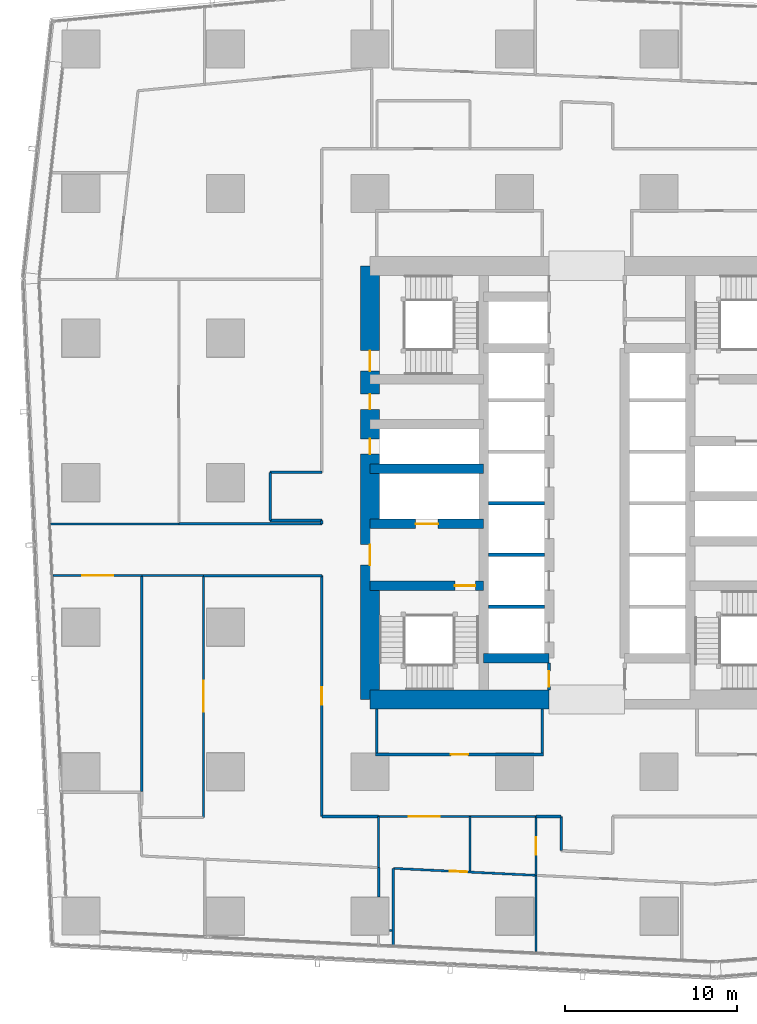
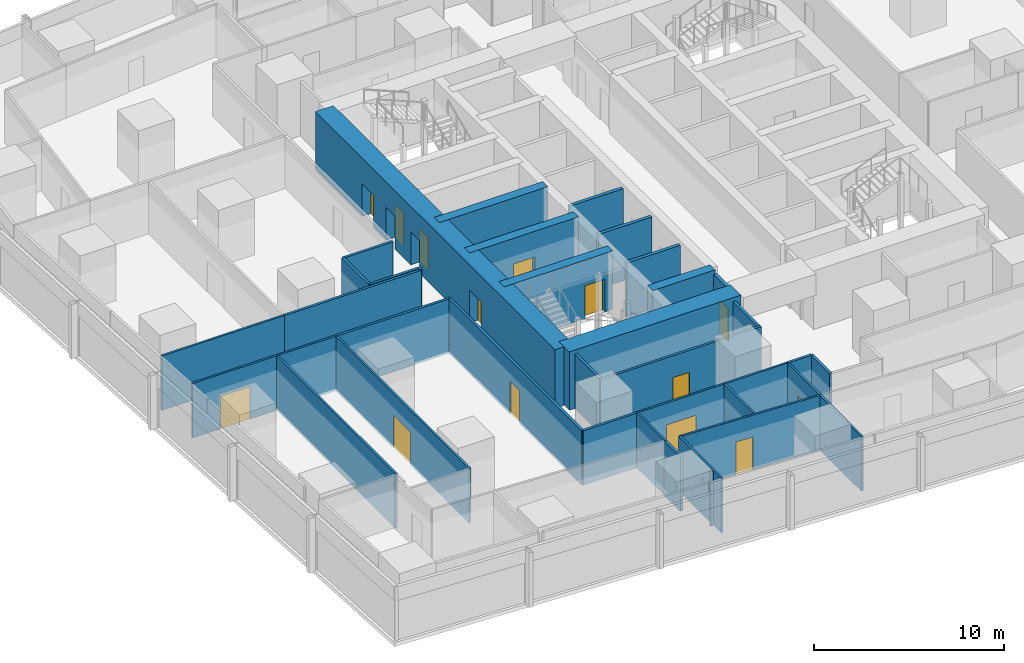
# One storey, part 32 of 45: 38 walls, 14 doors, 14 openings.
"""IFC4 building model written with IfcOpenShell, lengths in metres."""

from ifc_helpers import new_model, si_unit, direction, frame, frame_2d, origin, place, context, subcontext, project, spatial, rectangle, extrude, material, layer, layer_set, type_object, element, fill, save


model = new_model("IFC4")

# Units and contexts
model_context = context("Model", 3, precision=1e-05, world=origin(), true_north=direction((0.0, 1.0)))
body_context = subcontext(model_context, "Body", "Model", "MODEL_VIEW")
ifc_project = project(units=[si_unit("LENGTHUNIT", "METRE"), si_unit("AREAUNIT", "SQUARE_METRE"), si_unit("VOLUMEUNIT", "CUBIC_METRE"), si_unit("PLANEANGLEUNIT", "RADIAN"), si_unit("MASSUNIT", "GRAM", prefix="KILO")], contexts=[model_context])

# Site, building, storey
site_placement = place(None, origin())
site = spatial("IfcSite", under=ifc_project, at=site_placement, CompositionType="ELEMENT")
building_placement = place(site_placement, origin())
building = spatial("IfcBuilding", under=site, at=building_placement, Name="Rekha Terrace Tower", CompositionType="ELEMENT")
storey_placement = place(building_placement, frame((0.0, 0.0, 36.64990234375)))
storey = spatial("IfcBuildingStorey", under=building, at=storey_placement, Name="L08", CompositionType="ELEMENT", Elevation=36.64990234375)

# Wall
ifc_material_1 = material(Name="Concrete M70", Category="concrete")
ifc_layer_1 = layer(ifc_material_1, 0.550048828125)
ifc_layer_set_1 = layer_set([ifc_layer_1], Name="Concrete M70")
wall_type_1 = type_object("IfcWallType", Name="CI1 550 core internal shear wall", PredefinedType="SHEAR", material=ifc_layer_set_1)
wall_1_placement = place(storey_placement, frame((31.800048828125, 23.39990234375, 0.0), z_axis=(0.0, 0.0, 1.0), x_axis=(1.0, 0.0, 0.0)))
element("IfcWall", 1, at=wall_1_placement, inside=storey, type_object=wall_type_1, Name="Core wall Y234W L08", PredefinedType="SHEAR", context=body_context, shape_type="SweptSolid", body=[
    extrude(rectangle(XDim=3.800048828125, YDim=0.550048828125, at=frame_2d((1.89990234375, 0.0))), origin(), (0.0, 0.0, 1.0), 3.75),
])

# Wall, opening, door
wall_2_placement = place(storey_placement, frame((25.199951171875, 27.60009765625, 0.0), z_axis=(0.0, 0.0, 1.0), x_axis=(1.0, 0.0, 0.0)))
wall_2 = element("IfcWall", 2, at=wall_2_placement, inside=storey, type_object=wall_type_1, Name="Core wall Y276W L08", PredefinedType="SHEAR", context=body_context, shape_type="SweptSolid", body=[
    extrude(rectangle(XDim=6.60009765625, YDim=0.550048828125, at=frame_2d((3.300048828125, 0.0))), origin(), (0.0, 0.0, 1.0), 3.75),
])
opening_1_placement = place(wall_2_placement, frame((4.925048828125, 0.0, 0.0)))
opening_1 = element("IfcOpeningElement", 3, at=opening_1_placement, cuts=wall_2, Name="Opening D1", PredefinedType="OPENING", context=body_context, shape_type="SweptSolid", body=[
    extrude(rectangle(XDim=1.199951171875, YDim=2.10009765625, at=frame_2d((0.60009765625, 1.050048828125))), frame((0.0, 0.284912109375, 0.0), z_axis=(0.0, -1.0, 0.0), x_axis=(1.0, 0.0, 0.0)), (0.0, 0.0, 1.0), 0.570068359375),
])
ifc_material_2 = material(Name="Steel fire door", Category="steel")
door_type_1 = type_object("IfcDoorType", Name="D1 1200x2100 stair fire door", OperationType="SINGLE_SWING_RIGHT", PredefinedType="DOOR", material=ifc_material_2)
door_1_placement = place(opening_1_placement, origin())
door_1 = element("IfcDoor", 4, at=door_1_placement, inside=storey, type_object=door_type_1, Name="Stair ST1 door L08", OperationType="SINGLE_SWING_RIGHT", OverallHeight=2.10009765625, OverallWidth=1.199951171875, PredefinedType="DOOR", context=body_context, shape_type="SweptSolid", body=[
    extrude(rectangle(XDim=1.199951171875, YDim=2.10009765625, at=frame_2d((0.60009765625, 1.050048828125))), frame((0.0, 0.02490234375, 0.0), z_axis=(0.0, -1.0, 0.0), x_axis=(1.0, 0.0, 0.0)), (0.0, 0.0, 1.0), 0.050048828125),
])
fill(opening_1, door_1)

wall_3_placement = place(storey_placement, frame((25.199951171875, 31.199951171875, 0.0), z_axis=(0.0, 0.0, 1.0), x_axis=(1.0, 0.0, 0.0)))
wall_3 = element("IfcWall", 5, at=wall_3_placement, inside=storey, type_object=wall_type_1, Name="Core wall Y312W L08", PredefinedType="SHEAR", context=body_context, shape_type="SweptSolid", body=[
    extrude(rectangle(XDim=6.60009765625, YDim=0.550048828125, at=frame_2d((3.300048828125, 0.0))), origin(), (0.0, 0.0, 1.0), 3.75),
])
opening_2_placement = place(wall_3_placement, frame((2.64990234375, 0.0, 0.0)))
opening_2 = element("IfcOpeningElement", 6, at=opening_2_placement, cuts=wall_3, Name="Opening LD2", PredefinedType="OPENING", context=body_context, shape_type="SweptSolid", body=[
    extrude(rectangle(XDim=1.300048828125, YDim=2.10009765625, at=frame_2d((0.64990234375, 1.050048828125))), frame((0.0, 0.284912109375, 0.0), z_axis=(0.0, -1.0, 0.0), x_axis=(1.0, 0.0, 0.0)), (0.0, 0.0, 1.0), 0.570068359375),
])
ifc_material_3 = material(Name="Stainless steel sliding landing door", Category="steel")
door_type_2 = type_object("IfcDoorType", Name="LD2 1300x2100 fire lift landing door", OperationType="SLIDING_TO_LEFT", PredefinedType="USERDEFINED", material=ifc_material_3)
door_2_placement = place(opening_2_placement, origin())
door_2 = element("IfcDoor", 7, at=door_2_placement, inside=storey, type_object=door_type_2, Name="Lift FL1 landing door L08", ObjectType="LIFT LANDING DOOR", OperationType="SLIDING_TO_LEFT", OverallHeight=2.10009765625, OverallWidth=1.300048828125, PredefinedType="USERDEFINED", context=body_context, shape_type="SweptSolid", body=[
    extrude(rectangle(XDim=1.300048828125, YDim=2.10009765625, at=frame_2d((0.64990234375, 1.050048828125))), frame((0.0, 0.02490234375, 0.0), z_axis=(0.0, -1.0, 0.0), x_axis=(1.0, 0.0, 0.0)), (0.0, 0.0, 1.0), 0.050048828125),
])
fill(opening_2, door_2)

# Walls
wall_4_placement = place(storey_placement, frame((25.199951171875, 34.39990234375, 0.0), z_axis=(0.0, 0.0, 1.0), x_axis=(1.0, 0.0, 0.0)))
element("IfcWall", 8, at=wall_4_placement, inside=storey, type_object=wall_type_1, Name="Core wall Y344W L08", PredefinedType="SHEAR", context=body_context, shape_type="SweptSolid", body=[
    extrude(rectangle(XDim=6.60009765625, YDim=0.550048828125, at=frame_2d((3.300048828125, 0.0))), origin(), (0.0, 0.0, 1.0), 3.75),
])
ifc_layer_2 = layer(ifc_material_1, 1.10009765625)
ifc_layer_set_2 = layer_set([ifc_layer_2], Name="Concrete M70")
wall_type_2 = type_object("IfcWallType", Name="SW1 1100 core outer shear wall", PredefinedType="SHEAR", material=ifc_layer_set_2)
wall_5_placement = place(storey_placement, frame((25.199951171875, 21.0, 0.0), z_axis=(0.0, 0.0, 1.0), x_axis=(1.0, 0.0, 0.0)))
element("IfcWall", 9, at=wall_5_placement, inside=storey, type_object=wall_type_2, Name="Core wall S1 L08", PredefinedType="SHEAR", context=body_context, shape_type="SweptSolid", body=[
    extrude(rectangle(XDim=10.400146484375, YDim=1.10009765625, at=frame_2d((5.2001953125, 0.0))), origin(), (0.0, 0.0, 1.0), 3.75),
])

# Wall, openings, doors
wall_6_placement = place(storey_placement, frame((25.199951171875, 21.0, 0.0), z_axis=(0.0, 0.0, 1.0), x_axis=(0.0, 1.0, 0.0)))
wall_6 = element("IfcWall", 10, at=wall_6_placement, inside=storey, type_object=wall_type_2, Name="Core wall W L08", PredefinedType="SHEAR", context=body_context, shape_type="SweptSolid", body=[
    extrude(rectangle(XDim=25.199951171875, YDim=1.10009765625, at=frame_2d((12.60009765625, 0.0))), origin(), (0.0, 0.0, 1.0), 3.75),
])
opening_3_placement = place(wall_6_placement, frame((7.800048828125, 0.0, 0.0)))
opening_3 = element("IfcOpeningElement", 11, at=opening_3_placement, cuts=wall_6, Name="Opening D2", PredefinedType="OPENING", context=body_context, shape_type="SweptSolid", body=[
    extrude(rectangle(XDim=1.199951171875, YDim=2.10009765625, at=frame_2d((0.60009765625, 1.050048828125))), frame((0.0, 0.56005859375, 0.0), z_axis=(0.0, -1.0, 0.0), x_axis=(1.0, 0.0, 0.0)), (0.0, 0.0, 1.0), 1.1201171875),
])
opening_4_placement = place(wall_6_placement, frame((14.25, 0.0, 0.0)))
opening_4 = element("IfcOpeningElement", 12, at=opening_4_placement, cuts=wall_6, Name="Opening D5", PredefinedType="OPENING", context=body_context, shape_type="SweptSolid", body=[
    extrude(rectangle(XDim=0.89990234375, YDim=2.10009765625, at=frame_2d((0.449951171875, 1.050048828125))), frame((0.0, 0.56005859375, 0.0), z_axis=(0.0, -1.0, 0.0), x_axis=(1.0, 0.0, 0.0)), (0.0, 0.0, 1.0), 1.1201171875),
])
opening_5_placement = place(wall_6_placement, frame((16.85009765625, 0.0, 0.0)))
opening_5 = element("IfcOpeningElement", 13, at=opening_5_placement, cuts=wall_6, Name="Opening D5", PredefinedType="OPENING", context=body_context, shape_type="SweptSolid", body=[
    extrude(rectangle(XDim=0.89990234375, YDim=2.10009765625, at=frame_2d((0.449951171875, 1.050048828125))), frame((0.0, 0.56005859375, 0.0), z_axis=(0.0, -1.0, 0.0), x_axis=(1.0, 0.0, 0.0)), (0.0, 0.0, 1.0), 1.1201171875),
])
opening_6_placement = place(wall_6_placement, frame((19.074951171875, 0.0, 0.0)))
opening_6 = element("IfcOpeningElement", 14, at=opening_6_placement, cuts=wall_6, Name="Opening D1", PredefinedType="OPENING", context=body_context, shape_type="SweptSolid", body=[
    extrude(rectangle(XDim=1.199951171875, YDim=2.10009765625, at=frame_2d((0.60009765625, 1.050048828125))), frame((0.0, 0.56005859375, 0.0), z_axis=(0.0, -1.0, 0.0), x_axis=(1.0, 0.0, 0.0)), (0.0, 0.0, 1.0), 1.1201171875),
])
door_3_placement = place(opening_6_placement, origin())
door_3 = element("IfcDoor", 15, at=door_3_placement, inside=storey, type_object=door_type_1, Name="Stair ST4 door L08", OperationType="SINGLE_SWING_RIGHT", OverallHeight=2.10009765625, OverallWidth=1.199951171875, PredefinedType="DOOR", context=body_context, shape_type="SweptSolid", body=[
    extrude(rectangle(XDim=1.199951171875, YDim=2.10009765625, at=frame_2d((0.60009765625, 1.050048828125))), frame((0.0, 0.02490234375, 0.0), z_axis=(0.0, -1.0, 0.0), x_axis=(1.0, 0.0, 0.0)), (0.0, 0.0, 1.0), 0.050048828125),
])
fill(opening_6, door_3)
door_type_3 = type_object("IfcDoorType", Name="D2 1200x2100 firefighting lobby door", OperationType="SINGLE_SWING_LEFT", PredefinedType="DOOR", material=ifc_material_2)
door_4_placement = place(opening_3_placement, origin())
door_4 = element("IfcDoor", 16, at=door_4_placement, inside=storey, type_object=door_type_3, Name="Door flb1 L08", OperationType="SINGLE_SWING_LEFT", OverallHeight=2.10009765625, OverallWidth=1.199951171875, PredefinedType="DOOR", context=body_context, shape_type="SweptSolid", body=[
    extrude(rectangle(XDim=1.199951171875, YDim=2.10009765625, at=frame_2d((0.60009765625, 1.050048828125))), frame((0.0, 0.02490234375, 0.0), z_axis=(0.0, -1.0, 0.0), x_axis=(1.0, 0.0, 0.0)), (0.0, 0.0, 1.0), 0.050048828125),
])
fill(opening_3, door_4)
door_type_4 = type_object("IfcDoorType", Name="D5 900x2100 riser access door", OperationType="SINGLE_SWING_LEFT", PredefinedType="DOOR", material=ifc_material_2)
door_5_placement = place(opening_4_placement, origin())
door_5 = element("IfcDoor", 17, at=door_5_placement, inside=storey, type_object=door_type_4, Name="Door rs1 L08", OperationType="SINGLE_SWING_LEFT", OverallHeight=2.10009765625, OverallWidth=0.89990234375, PredefinedType="DOOR", context=body_context, shape_type="SweptSolid", body=[
    extrude(rectangle(XDim=0.89990234375, YDim=2.10009765625, at=frame_2d((0.449951171875, 1.050048828125))), frame((0.0, 0.02490234375, 0.0), z_axis=(0.0, -1.0, 0.0), x_axis=(1.0, 0.0, 0.0)), (0.0, 0.0, 1.0), 0.050048828125),
])
fill(opening_4, door_5)
door_6_placement = place(opening_5_placement, origin())
door_6 = element("IfcDoor", 18, at=door_6_placement, inside=storey, type_object=door_type_4, Name="Door elw L08", OperationType="SINGLE_SWING_LEFT", OverallHeight=2.10009765625, OverallWidth=0.89990234375, PredefinedType="DOOR", context=body_context, shape_type="SweptSolid", body=[
    extrude(rectangle(XDim=0.89990234375, YDim=2.10009765625, at=frame_2d((0.449951171875, 1.050048828125))), frame((0.0, 0.02490234375, 0.0), z_axis=(0.0, -1.0, 0.0), x_axis=(1.0, 0.0, 0.0)), (0.0, 0.0, 1.0), 0.050048828125),
])
fill(opening_5, door_6)

# Wall, opening, door
ifc_material_4 = material(Name="Concrete block masonry, 1 hour", Category="masonry")
ifc_layer_3 = layer(ifc_material_4, 0.14990234375)
ifc_layer_set_3 = layer_set([ifc_layer_3], Name="Concrete block masonry, 1 hour")
wall_type_3 = type_object("IfcWallType", Name="WP2 150 tenancy partition", PredefinedType="PARTITIONING", material=ifc_layer_set_3)
wall_7_placement = place(storey_placement, frame((25.52490234375, 17.800048828125, 0.0), z_axis=(0.0, 0.0, 1.0), x_axis=(1.0, 0.0, 0.0)))
wall_7 = element("IfcWall", 19, at=wall_7_placement, inside=storey, type_object=wall_type_3, Name="Men's WC wall L08", PredefinedType="PARTITIONING", context=body_context, shape_type="SweptSolid", body=[
    extrude(rectangle(XDim=9.75, YDim=0.14990234375, at=frame_2d((4.875, 0.0))), origin(), (0.0, 0.0, 1.0), 3.5),
])
opening_7_placement = place(wall_7_placement, frame((4.375, 0.0, 0.0)))
opening_7 = element("IfcOpeningElement", 20, at=opening_7_placement, cuts=wall_7, Name="Opening D3", PredefinedType="OPENING", context=body_context, shape_type="SweptSolid", body=[
    extrude(rectangle(XDim=1.0, YDim=2.10009765625, at=frame_2d((0.5, 1.050048828125))), frame((0.0, 0.0849609375, 0.0), z_axis=(0.0, -1.0, 0.0), x_axis=(1.0, 0.0, 0.0)), (0.0, 0.0, 1.0), 0.169921875),
])
ifc_material_5 = material(Name="Laminated timber fire door", Category="wood")
door_type_5 = type_object("IfcDoorType", Name="D3 1000x2100 WC door", OperationType="SINGLE_SWING_LEFT", PredefinedType="DOOR", material=ifc_material_5)
door_7_placement = place(opening_7_placement, origin())
door_7 = element("IfcDoor", 21, at=door_7_placement, inside=storey, type_object=door_type_5, Name="Door men's wc L08", OperationType="SINGLE_SWING_LEFT", OverallHeight=2.10009765625, OverallWidth=1.0, PredefinedType="DOOR", context=body_context, shape_type="SweptSolid", body=[
    extrude(rectangle(XDim=1.0, YDim=2.10009765625, at=frame_2d((0.5, 1.050048828125))), frame((0.0, 0.02490234375, 0.0), z_axis=(0.0, -1.0, 0.0), x_axis=(1.0, 0.0, 0.0)), (0.0, 0.0, 1.0), 0.050048828125),
])
fill(opening_7, door_7)

# Walls
for number, where, z_axis, x_axis, name in (
    (22, (25.60009765625, 17.875, 0.0), (0.0, 0.0, 1.0), (0.0, 1.0, 0.0), "Men's WC wall L08"),
    (23, (35.199951171875, 17.875, 0.0), (0.0, 0.0, 1.0), (0.0, 1.0, 0.0), "Men's WC wall L08"),
):
    element("IfcWall", number, at=place(storey_placement, frame(where, z_axis=z_axis, x_axis=x_axis)), inside=storey, type_object=wall_type_3, Name=name, PredefinedType="PARTITIONING", context=body_context, shape_type="SweptSolid", body=[
        extrude(rectangle(XDim=2.574951171875, YDim=0.14990234375, at=frame_2d((1.28759765625, 0.0))), origin(), (0.0, 0.0, 1.0), 3.5),
    ])
wall_8_placement = place(storey_placement, frame((34.840087890625, 14.199951171875, 0.0), z_axis=(0.0, 0.0, 1.0), x_axis=(1.0, 0.0, 0.0)))
element("IfcWall", 24, at=wall_8_placement, inside=storey, type_object=wall_type_3, Name="Partition L08-O1", PredefinedType="PARTITIONING", context=body_context, shape_type="SweptSolid", body=[
    extrude(rectangle(XDim=1.4599609375, YDim=0.14990234375, at=frame_2d((0.72998046875, 0.0))), origin(), (0.0, 0.0, 1.0), 3.5),
])
wall_9_placement = place(storey_placement, frame((36.300048828125, 14.199951171875, 0.0), z_axis=(0.0, 0.0, 1.0), x_axis=(0.0, -1.0, 0.0)))
element("IfcWall", 25, at=wall_9_placement, inside=storey, type_object=wall_type_3, Name="Partition L08-O1", PredefinedType="PARTITIONING", context=body_context, shape_type="SweptSolid", body=[
    extrude(rectangle(XDim=1.989990234375, YDim=0.14990234375, at=frame_2d((0.9951171875, 0.0))), origin(), (0.0, 0.0, 1.0), 3.5),
])
wall_10_placement = place(storey_placement, frame((22.39990234375, 31.39990234375, 0.0), z_axis=(0.0, 0.0, 1.0), x_axis=(0.0, -1.0, 0.0)))
element("IfcWall", 26, at=wall_10_placement, inside=storey, type_object=wall_type_3, Name="Partition L08-O5", PredefinedType="PARTITIONING", context=body_context, shape_type="SweptSolid", body=[
    extrude(rectangle(XDim=0.199951171875, YDim=0.14990234375, at=frame_2d((0.10009765625, 0.0))), origin(), (0.0, 0.0, 1.0), 3.5),
])
wall_11_placement = place(storey_placement, frame((22.39990234375, 31.199951171875, 0.0), z_axis=(0.0, 0.0, 1.0), x_axis=(-1.0, 0.0, 0.0)))
element("IfcWall", 27, at=wall_11_placement, inside=storey, type_object=wall_type_3, Name="Partition L08-O5", PredefinedType="PARTITIONING", context=body_context, shape_type="SweptSolid", body=[
    extrude(rectangle(XDim=8.309814453125, YDim=0.14990234375, at=frame_2d((4.15478515625, 0.0))), origin(), (0.0, 0.0, 1.0), 3.5),
])
wall_12_placement = place(storey_placement, frame((22.39990234375, 34.199951171875, 0.0), z_axis=(0.0, 0.0, 1.0), x_axis=(-1.0, 0.0, 0.0)))
element("IfcWall", 28, at=wall_12_placement, inside=storey, type_object=wall_type_3, Name="Partition L08-O5", PredefinedType="PARTITIONING", context=body_context, shape_type="SweptSolid", body=[
    extrude(rectangle(XDim=3.0, YDim=0.14990234375, at=frame_2d((1.5, 0.0))), origin(), (0.0, 0.0, 1.0), 3.5),
])
wall_13_placement = place(storey_placement, frame((19.39990234375, 34.199951171875, 0.0), z_axis=(0.0, 0.0, 1.0), x_axis=(0.0, -1.0, 0.0)))
element("IfcWall", 29, at=wall_13_placement, inside=storey, type_object=wall_type_3, Name="Partition L08-O5", PredefinedType="PARTITIONING", context=body_context, shape_type="SweptSolid", body=[
    extrude(rectangle(XDim=2.800048828125, YDim=0.14990234375, at=frame_2d((1.39990234375, 0.0))), origin(), (0.0, 0.0, 1.0), 3.5),
])
wall_14_placement = place(storey_placement, frame((19.39990234375, 31.39990234375, 0.0), z_axis=(0.0, 0.0, 1.0), x_axis=(1.0, 0.0, 0.0)))
element("IfcWall", 30, at=wall_14_placement, inside=storey, type_object=wall_type_3, Name="Partition L08-O5", PredefinedType="PARTITIONING", context=body_context, shape_type="SweptSolid", body=[
    extrude(rectangle(XDim=3.0, YDim=0.14990234375, at=frame_2d((1.5, 0.0))), origin(), (0.0, 0.0, 1.0), 3.5),
])
wall_15_placement = place(storey_placement, frame((15.52392578125, 28.199951171875, 0.0), z_axis=(0.0, 0.0, 1.0), x_axis=(1.0, 0.0, 0.0)))
element("IfcWall", 31, at=wall_15_placement, inside=storey, type_object=wall_type_3, Name="Partition L08-O6", PredefinedType="PARTITIONING", context=body_context, shape_type="SweptSolid", body=[
    extrude(rectangle(XDim=6.8759765625, YDim=0.14990234375, at=frame_2d((3.43798828125, 0.0))), origin(), (0.0, 0.0, 1.0), 3.5),
])

# Wall, opening, door
wall_16_placement = place(storey_placement, frame((22.39990234375, 28.199951171875, 0.0), z_axis=(0.0, 0.0, 1.0), x_axis=(0.0, -1.0, 0.0)))
wall_16 = element("IfcWall", 32, at=wall_16_placement, inside=storey, type_object=wall_type_3, Name="Partition L08-O6", PredefinedType="PARTITIONING", context=body_context, shape_type="SweptSolid", body=[
    extrude(rectangle(XDim=14.0, YDim=0.14990234375, at=frame_2d((7.0, 0.0))), origin(), (0.0, 0.0, 1.0), 3.5),
])
opening_8_placement = place(wall_16_placement, frame((6.5, 0.0, 0.0)))
opening_8 = element("IfcOpeningElement", 33, at=opening_8_placement, cuts=wall_16, Name="Opening D9", PredefinedType="OPENING", context=body_context, shape_type="SweptSolid", body=[
    extrude(rectangle(XDim=1.0, YDim=2.10009765625, at=frame_2d((0.5, 1.050048828125))), frame((0.0, 0.0849609375, 0.0), z_axis=(0.0, -1.0, 0.0), x_axis=(1.0, 0.0, 0.0)), (0.0, 0.0, 1.0), 0.169921875),
])
ifc_material_6 = material(Name="Timber fire door", Category="wood")
door_type_6 = type_object("IfcDoorType", Name="D9 1000x2100 office door", OperationType="SINGLE_SWING_LEFT", PredefinedType="DOOR", material=ifc_material_6)
door_8_placement = place(opening_8_placement, origin())
door_8 = element("IfcDoor", 34, at=door_8_placement, inside=storey, type_object=door_type_6, Name="Door open-plan office L08", OperationType="SINGLE_SWING_LEFT", OverallHeight=2.10009765625, OverallWidth=1.0, PredefinedType="DOOR", context=body_context, shape_type="SweptSolid", body=[
    extrude(rectangle(XDim=1.0, YDim=2.10009765625, at=frame_2d((0.5, 1.050048828125))), frame((0.0, 0.02490234375, 0.0), z_axis=(0.0, -1.0, 0.0), x_axis=(1.0, 0.0, 0.0)), (0.0, 0.0, 1.0), 0.050048828125),
])
fill(opening_8, door_8)

# Walls
wall_17_placement = place(storey_placement, frame((22.39990234375, 14.199951171875, 0.0), z_axis=(0.0, 0.0, 1.0), x_axis=(1.0, 0.0, 0.0)))
element("IfcWall", 35, at=wall_17_placement, inside=storey, type_object=wall_type_3, Name="Partition L08-O6", PredefinedType="PARTITIONING", context=body_context, shape_type="SweptSolid", body=[
    extrude(rectangle(XDim=3.297119140625, YDim=0.14990234375, at=frame_2d((1.6484375, 0.0))), origin(), (0.0, 0.0, 1.0), 3.5),
])
wall_18_placement = place(storey_placement, frame((25.697021484375, 11.22900390625, 0.0), z_axis=(0.0, 0.0, 1.0), x_axis=(0.0, -1.0, 0.0)))
element("IfcWall", 36, at=wall_18_placement, inside=storey, type_object=wall_type_3, Name="Partition L08-O6", PredefinedType="PARTITIONING", context=body_context, shape_type="SweptSolid", body=[
    extrude(rectangle(XDim=1.708984375, YDim=0.14990234375, at=frame_2d((0.8544921875, 0.0))), origin(), (0.0, 0.0, 1.0), 3.5),
])
ifc_material_7 = material(Name="Two layers of fire-rated gypsum board each side on steel studs, acoustic quilt, 1 hour", Category="steel")
ifc_layer_4 = layer(ifc_material_7, 0.125)
ifc_layer_set_4 = layer_set([ifc_layer_4], Name="Two layers of fire-rated gypsum board each side on steel studs, acoustic quilt, 1 hour")
wall_type_4 = type_object("IfcWallType", Name="WP3 125 office partition", PredefinedType="PARTITIONING", material=ifc_layer_set_4)
wall_19_placement = place(storey_placement, frame((34.841064453125, 6.35400390625, 0.0), z_axis=(0.0, 0.0, 1.0), x_axis=(0.0, 1.0, 0.0)))
element("IfcWall", 37, at=wall_19_placement, inside=storey, type_object=wall_type_4, Name="Partition L08-02", PredefinedType="PARTITIONING", context=body_context, shape_type="SweptSolid", body=[
    extrude(rectangle(XDim=4.426025390625, YDim=0.125, at=frame_2d((2.212890625, 0.0))), origin(), (0.0, 0.0, 1.0), 3.5),
])

# Wall, opening, door
wall_20_placement = place(storey_placement, frame((26.548095703125, 11.18701171875, 0.0), z_axis=(0.0, 0.0, 1.0), x_axis=(0.998797680893, -0.049022368804, 0.0)))
wall_20 = element("IfcWall", 38, at=wall_20_placement, inside=storey, type_object=wall_type_4, Name="Partition L08-06", PredefinedType="PARTITIONING", context=body_context, shape_type="SweptSolid", body=[
    extrude(rectangle(XDim=8.302001953125, YDim=0.125, at=frame_2d((4.15087890625, 0.0))), origin(), (0.0, 0.0, 1.0), 3.5),
])
opening_9_placement = place(wall_20_placement, frame((3.291015625, 0.0, 0.0)))
opening_9 = element("IfcOpeningElement", 39, at=opening_9_placement, cuts=wall_20, Name="Opening D9", PredefinedType="OPENING", context=body_context, shape_type="SweptSolid", body=[
    extrude(rectangle(XDim=1.0, YDim=2.10009765625, at=frame_2d((0.5, 1.050048828125))), frame((0.0, 0.072509765625, 0.0), z_axis=(0.0, -1.0, 0.0), x_axis=(1.0, 0.0, 0.0)), (0.0, 0.0, 1.0), 0.14501953125),
])
door_9_placement = place(opening_9_placement, origin())
door_9 = element("IfcDoor", 40, at=door_9_placement, inside=storey, type_object=door_type_6, Name="Door meeting room L08", OperationType="SINGLE_SWING_LEFT", OverallHeight=2.10009765625, OverallWidth=1.0, PredefinedType="DOOR", context=body_context, shape_type="SweptSolid", body=[
    extrude(rectangle(XDim=1.0, YDim=2.10009765625, at=frame_2d((0.5, 1.050048828125))), frame((0.0, 0.02490234375, 0.0), z_axis=(0.0, -1.0, 0.0), x_axis=(1.0, 0.0, 0.0)), (0.0, 0.0, 1.0), 0.050048828125),
])
fill(opening_9, door_9)

# Walls
wall_21_placement = place(storey_placement, frame((26.548095703125, 6.73193359375, 0.0), z_axis=(0.0, 0.0, 1.0), x_axis=(0.0, 1.0, 0.0)))
element("IfcWall", 41, at=wall_21_placement, inside=storey, type_object=wall_type_4, Name="Partition L08-06", PredefinedType="PARTITIONING", context=body_context, shape_type="SweptSolid", body=[
    extrude(rectangle(XDim=4.455078125, YDim=0.125, at=frame_2d((2.2275390625, 0.0))), origin(), (0.0, 0.0, 1.0), 3.5),
])
wall_22_placement = place(storey_placement, frame((25.697021484375, 11.22900390625, 0.0), z_axis=(0.0, 0.0, 1.0), x_axis=(0.0, 1.0, 0.0)))
element("IfcWall", 42, at=wall_22_placement, inside=storey, type_object=wall_type_4, Name="Partition L08-07", PredefinedType="PARTITIONING", context=body_context, shape_type="SweptSolid", body=[
    extrude(rectangle(XDim=2.970947265625, YDim=0.125, at=frame_2d((1.4853515625, 0.0))), origin(), (0.0, 0.0, 1.0), 3.5),
])

# Wall, opening, door
wall_23_placement = place(storey_placement, frame((25.697021484375, 14.199951171875, 0.0), z_axis=(0.0, 0.0, 1.0), x_axis=(1.0, 0.0, 0.0)))
wall_23 = element("IfcWall", 43, at=wall_23_placement, inside=storey, type_object=wall_type_4, Name="Partition L08-07", PredefinedType="PARTITIONING", context=body_context, shape_type="SweptSolid", body=[
    extrude(rectangle(XDim=5.302978515625, YDim=0.125, at=frame_2d((2.6513671875, 0.0))), origin(), (0.0, 0.0, 1.0), 3.5),
])
opening_10_placement = place(wall_23_placement, frame((1.751953125, 0.0, 0.0)))
opening_10 = element("IfcOpeningElement", 44, at=opening_10_placement, cuts=wall_23, Name="Opening D8", PredefinedType="OPENING", context=body_context, shape_type="SweptSolid", body=[
    extrude(rectangle(XDim=1.800048828125, YDim=2.10009765625, at=frame_2d((0.89990234375, 1.050048828125))), frame((0.0, 0.072509765625, 0.0), z_axis=(0.0, -1.0, 0.0), x_axis=(1.0, 0.0, 0.0)), (0.0, 0.0, 1.0), 0.14501953125),
])
door_type_7 = type_object("IfcDoorType", Name="D8 1800x2100 double leaf door", OperationType="DOUBLE_DOOR_SINGLE_SWING", PredefinedType="DOOR", material=ifc_material_6)
door_10_placement = place(opening_10_placement, origin())
door_10 = element("IfcDoor", 45, at=door_10_placement, inside=storey, type_object=door_type_7, Name="Door reception L08", OperationType="DOUBLE_DOOR_SINGLE_SWING", OverallHeight=2.10009765625, OverallWidth=1.800048828125, PredefinedType="DOOR", context=body_context, shape_type="SweptSolid", body=[
    extrude(rectangle(XDim=1.800048828125, YDim=2.10009765625, at=frame_2d((0.89990234375, 1.050048828125))), frame((0.0, 0.02490234375, 0.0), z_axis=(0.0, -1.0, 0.0), x_axis=(1.0, 0.0, 0.0)), (0.0, 0.0, 1.0), 0.050048828125),
])
fill(opening_10, door_10)

# Walls
wall_24_placement = place(storey_placement, frame((31.0, 14.199951171875, 0.0), z_axis=(0.0, 0.0, 1.0), x_axis=(0.0, -1.0, 0.0)))
element("IfcWall", 46, at=wall_24_placement, inside=storey, type_object=wall_type_4, Name="Partition L08-07", PredefinedType="PARTITIONING", context=body_context, shape_type="SweptSolid", body=[
    extrude(rectangle(XDim=3.1689453125, YDim=0.125, at=frame_2d((1.58447265625, 0.0))), origin(), (0.0, 0.0, 1.0), 3.5),
])
wall_25_placement = place(storey_placement, frame((26.485107421875, 7.583984375, 0.0), z_axis=(0.0, 0.0, 1.0), x_axis=(-1.0, 0.0, 0.0)))
element("IfcWall", 47, at=wall_25_placement, inside=storey, type_object=wall_type_4, Name="Partition L08-07", PredefinedType="PARTITIONING", context=body_context, shape_type="SweptSolid", body=[
    extrude(rectangle(XDim=0.1650390625, YDim=0.125, at=frame_2d((0.08251953125, 0.0))), origin(), (0.0, 0.0, 1.0), 3.5),
])
wall_26_placement = place(storey_placement, frame((31.0, 14.199951171875, 0.0), z_axis=(0.0, 0.0, 1.0), x_axis=(1.0, 0.0, 0.0)))
element("IfcWall", 48, at=wall_26_placement, inside=storey, type_object=wall_type_4, Name="Partition L08-08", PredefinedType="PARTITIONING", context=body_context, shape_type="SweptSolid", body=[
    extrude(rectangle(XDim=3.840087890625, YDim=0.125, at=frame_2d((1.919921875, 0.0))), origin(), (0.0, 0.0, 1.0), 3.5),
])

# Wall, opening, door
wall_27_placement = place(storey_placement, frame((34.840087890625, 14.199951171875, 0.0), z_axis=(0.0, 0.0, 1.0), x_axis=(0.0, -1.0, 0.0)))
wall_27 = element("IfcWall", 49, at=wall_27_placement, inside=storey, type_object=wall_type_4, Name="Partition L08-08", PredefinedType="PARTITIONING", context=body_context, shape_type="SweptSolid", body=[
    extrude(rectangle(XDim=3.419921875, YDim=0.125, at=frame_2d((1.7099609375, 0.0))), origin(), (0.0, 0.0, 1.0), 3.5),
])
opening_11_placement = place(wall_27_placement, frame((1.2099609375, 0.0, 0.0)))
opening_11 = element("IfcOpeningElement", 50, at=opening_11_placement, cuts=wall_27, Name="Opening D9", PredefinedType="OPENING", context=body_context, shape_type="SweptSolid", body=[
    extrude(rectangle(XDim=1.0, YDim=2.10009765625, at=frame_2d((0.5, 1.050048828125))), frame((0.0, 0.072509765625, 0.0), z_axis=(0.0, -1.0, 0.0), x_axis=(1.0, 0.0, 0.0)), (0.0, 0.0, 1.0), 0.14501953125),
])
door_11_placement = place(opening_11_placement, origin())
door_11 = element("IfcDoor", 51, at=door_11_placement, inside=storey, type_object=door_type_6, Name="Door print room L08", OperationType="SINGLE_SWING_LEFT", OverallHeight=2.10009765625, OverallWidth=1.0, PredefinedType="DOOR", context=body_context, shape_type="SweptSolid", body=[
    extrude(rectangle(XDim=1.0, YDim=2.10009765625, at=frame_2d((0.5, 1.050048828125))), frame((0.0, 0.02490234375, 0.0), z_axis=(0.0, -1.0, 0.0), x_axis=(1.0, 0.0, 0.0)), (0.0, 0.0, 1.0), 0.050048828125),
])
fill(opening_11, door_11)

# Wall
wall_28_placement = place(storey_placement, frame((14.090087890625, 31.199951171875, 0.0), z_axis=(0.0, 0.0, 1.0), x_axis=(-1.0, 0.0, 0.0)))
element("IfcWall", 52, at=wall_28_placement, inside=storey, type_object=wall_type_4, Name="Partition L08-21", PredefinedType="PARTITIONING", context=body_context, shape_type="SweptSolid", body=[
    extrude(rectangle(XDim=7.455078125, YDim=0.125, at=frame_2d((3.7275390625, 0.0))), origin(), (0.0, 0.0, 1.0), 3.5),
])

# Wall, opening, door
wall_29_placement = place(storey_placement, frame((6.76708984375, 28.199951171875, 0.0), z_axis=(0.0, 0.0, 1.0), x_axis=(1.0, 0.0, 0.0)))
wall_29 = element("IfcWall", 53, at=wall_29_placement, inside=storey, type_object=wall_type_4, Name="Partition L08-22", PredefinedType="PARTITIONING", context=body_context, shape_type="SweptSolid", body=[
    extrude(rectangle(XDim=5.1669921875, YDim=0.125, at=frame_2d((2.58349609375, 0.0))), origin(), (0.0, 0.0, 1.0), 3.5),
])
opening_12_placement = place(wall_29_placement, frame((1.697998046875, 0.0, 0.0)))
opening_12 = element("IfcOpeningElement", 54, at=opening_12_placement, cuts=wall_29, Name="Opening D8", PredefinedType="OPENING", context=body_context, shape_type="SweptSolid", body=[
    extrude(rectangle(XDim=1.800048828125, YDim=2.10009765625, at=frame_2d((0.89990234375, 1.050048828125))), frame((0.0, 0.072509765625, 0.0), z_axis=(0.0, -1.0, 0.0), x_axis=(1.0, 0.0, 0.0)), (0.0, 0.0, 1.0), 0.14501953125),
])
door_12_placement = place(opening_12_placement, origin())
door_12 = element("IfcDoor", 55, at=door_12_placement, inside=storey, type_object=door_type_7, Name="Door breakout lounge L08", OperationType="DOUBLE_DOOR_SINGLE_SWING", OverallHeight=2.10009765625, OverallWidth=1.800048828125, PredefinedType="DOOR", context=body_context, shape_type="SweptSolid", body=[
    extrude(rectangle(XDim=1.800048828125, YDim=2.10009765625, at=frame_2d((0.89990234375, 1.050048828125))), frame((0.0, 0.02490234375, 0.0), z_axis=(0.0, -1.0, 0.0), x_axis=(1.0, 0.0, 0.0)), (0.0, 0.0, 1.0), 0.050048828125),
])
fill(opening_12, door_12)

# Wall
wall_30_placement = place(storey_placement, frame((11.93408203125, 28.199951171875, 0.0), z_axis=(0.0, 0.0, 1.0), x_axis=(0.0, -1.0, 0.0)))
element("IfcWall", 56, at=wall_30_placement, inside=storey, type_object=wall_type_4, Name="Partition L08-22", PredefinedType="PARTITIONING", context=body_context, shape_type="SweptSolid", body=[
    extrude(rectangle(XDim=12.556884765625, YDim=0.125, at=frame_2d((6.2783203125, 0.0))), origin(), (0.0, 0.0, 1.0), 3.5),
])

# Wall, opening, door
wall_31_placement = place(storey_placement, frame((15.52392578125, 28.199951171875, 0.0), z_axis=(0.0, 0.0, 1.0), x_axis=(0.0, -1.0, 0.0)))
wall_31 = element("IfcWall", 57, at=wall_31_placement, inside=storey, type_object=wall_type_4, Name="Partition L08-24", PredefinedType="PARTITIONING", context=body_context, shape_type="SweptSolid", body=[
    extrude(rectangle(XDim=14.050048828125, YDim=0.125, at=frame_2d((7.02490234375, 0.0))), origin(), (0.0, 0.0, 1.0), 3.5),
])
opening_13_placement = place(wall_31_placement, frame((6.125, 0.0, 0.0)))
opening_13 = element("IfcOpeningElement", 58, at=opening_13_placement, cuts=wall_31, Name="Opening D8", PredefinedType="OPENING", context=body_context, shape_type="SweptSolid", body=[
    extrude(rectangle(XDim=1.800048828125, YDim=2.10009765625, at=frame_2d((0.89990234375, 1.050048828125))), frame((0.0, 0.072509765625, 0.0), z_axis=(0.0, -1.0, 0.0), x_axis=(1.0, 0.0, 0.0)), (0.0, 0.0, 1.0), 0.14501953125),
])
door_13_placement = place(opening_13_placement, origin())
door_13 = element("IfcDoor", 59, at=door_13_placement, inside=storey, type_object=door_type_7, Name="Door print room L08", OperationType="DOUBLE_DOOR_SINGLE_SWING", OverallHeight=2.10009765625, OverallWidth=1.800048828125, PredefinedType="DOOR", context=body_context, shape_type="SweptSolid", body=[
    extrude(rectangle(XDim=1.800048828125, YDim=2.10009765625, at=frame_2d((0.89990234375, 1.050048828125))), frame((0.0, 0.02490234375, 0.0), z_axis=(0.0, -1.0, 0.0), x_axis=(1.0, 0.0, 0.0)), (0.0, 0.0, 1.0), 0.050048828125),
])
fill(opening_13, door_13)

# Walls
wall_32_placement = place(storey_placement, frame((11.93408203125, 28.199951171875, 0.0), z_axis=(0.0, 0.0, 1.0), x_axis=(1.0, 0.0, 0.0)))
element("IfcWall", 60, at=wall_32_placement, inside=storey, type_object=wall_type_4, Name="Partition L08-24", PredefinedType="PARTITIONING", context=body_context, shape_type="SweptSolid", body=[
    extrude(rectangle(XDim=3.58984375, YDim=0.125, at=frame_2d((1.794921875, 0.0))), origin(), (0.0, 0.0, 1.0), 3.5),
])
ifc_material_8 = material(Name="Solid concrete block masonry, 2 hour", Category="masonry")
ifc_layer_5 = layer(ifc_material_8, 0.199951171875)
ifc_layer_set_5 = layer_set([ifc_layer_5], Name="Solid concrete block masonry, 2 hour")
wall_type_5 = type_object("IfcWallType", Name="WS1 200 stair and shaft enclosure", PredefinedType="PARTITIONING", material=ifc_layer_set_5)
for number, where, z_axis, x_axis, name in (
    (61, (32.074951171875, 26.39990234375, 0.0), (0.0, 0.0, 1.0), (1.0, 0.0, 0.0), "Lift shaft divider L08"),
    (62, (32.074951171875, 29.39990234375, 0.0), (0.0, 0.0, 1.0), (1.0, 0.0, 0.0), "Lift shaft divider L08"),
    (63, (32.074951171875, 32.39990234375, 0.0), (0.0, 0.0, 1.0), (1.0, 0.0, 0.0), "Lift shaft divider L08"),
):
    element("IfcWall", number, at=place(storey_placement, frame(where, z_axis=z_axis, x_axis=x_axis)), inside=storey, type_object=wall_type_5, Name=name, PredefinedType="PARTITIONING", context=body_context, shape_type="SweptSolid", body=[
        extrude(rectangle(XDim=3.25, YDim=0.199951171875, at=frame_2d((1.625, 0.0))), origin(), (0.0, 0.0, 1.0), 3.5),
    ])

# Wall, opening, door
wall_33_placement = place(storey_placement, frame((35.60009765625, 21.550048828125, 0.0), z_axis=(0.0, 0.0, 1.0), x_axis=(0.0, 1.0, 0.0)))
wall_33 = element("IfcWall", 64, at=wall_33_placement, inside=storey, type_object=wall_type_5, Name="Core partition west L08", PredefinedType="PARTITIONING", context=body_context, shape_type="SweptSolid", body=[
    extrude(rectangle(XDim=1.574951171875, YDim=0.199951171875, at=frame_2d((0.78759765625, 0.0))), origin(), (0.0, 0.0, 1.0), 3.5),
])
opening_14_placement = place(wall_33_placement, frame((0.199951171875, 0.0, 0.0)))
opening_14 = element("IfcOpeningElement", 65, at=opening_14_placement, cuts=wall_33, Name="Opening D5", PredefinedType="OPENING", context=body_context, shape_type="SweptSolid", body=[
    extrude(rectangle(XDim=0.89990234375, YDim=2.10009765625, at=frame_2d((0.449951171875, 1.050048828125))), frame((0.0, 0.10986328125, 0.0), z_axis=(0.0, -1.0, 0.0), x_axis=(1.0, 0.0, 0.0)), (0.0, 0.0, 1.0), 0.219970703125),
])
door_14_placement = place(opening_14_placement, origin())
door_14 = element("IfcDoor", 66, at=door_14_placement, inside=storey, type_object=door_type_4, Name="Door cleaner's store L08", OperationType="SINGLE_SWING_LEFT", OverallHeight=2.10009765625, OverallWidth=0.89990234375, PredefinedType="DOOR", context=body_context, shape_type="SweptSolid", body=[
    extrude(rectangle(XDim=0.89990234375, YDim=2.10009765625, at=frame_2d((0.449951171875, 1.050048828125))), frame((0.0, 0.02490234375, 0.0), z_axis=(0.0, -1.0, 0.0), x_axis=(1.0, 0.0, 0.0)), (0.0, 0.0, 1.0), 0.050048828125),
])
fill(opening_14, door_14)

save(model, "model.ifc")
